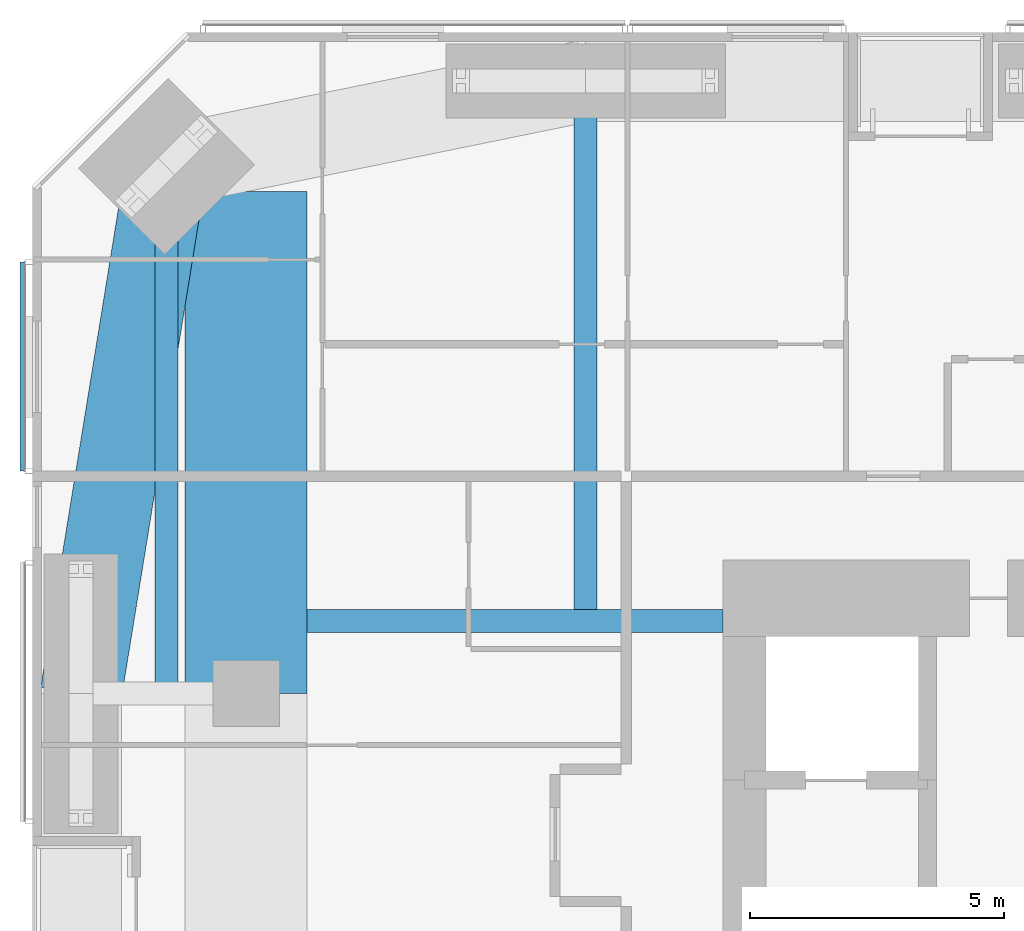
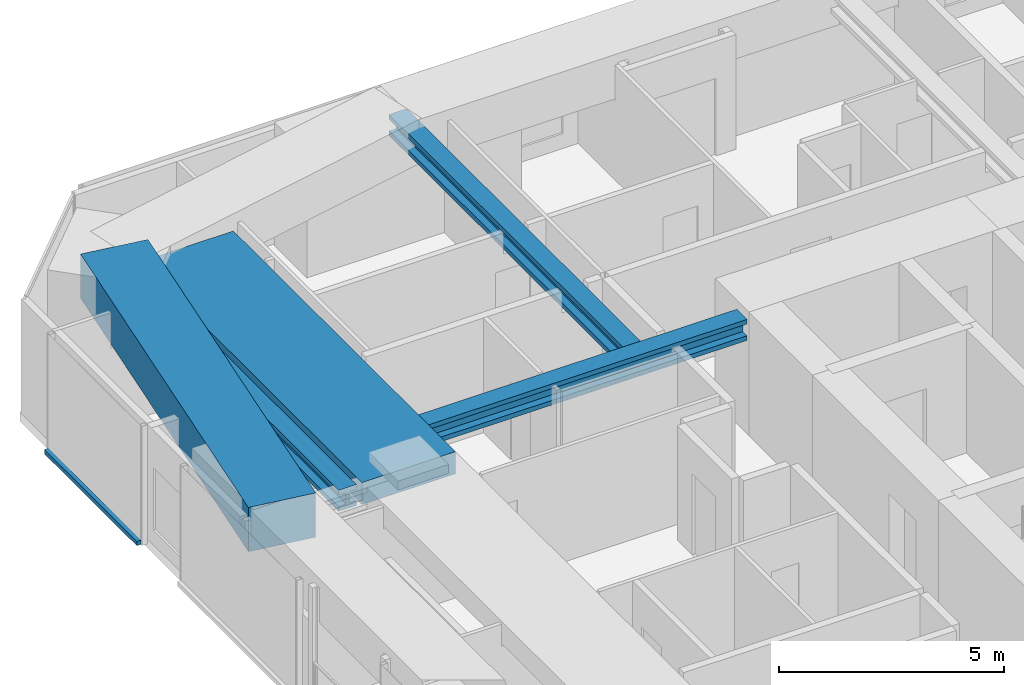
# One storey, part 7 of 24: 5 beams, 1 member, 1 element without a shape of its own.
"""IFC4 building model written with IfcOpenShell, lengths in metres."""

from ifc_helpers import new_model, si_unit, direction, frame, origin, origin_2d, place, context, subcontext, project, spatial, rectangle, i_section, extrude, material, material_profile, profile_set, type_object, element, aggregate, save


model = new_model("IFC4")

# Units and contexts
model_context = context("Model", 3, precision=1e-05, world=origin(), true_north=direction((0.0, 1.0)))
body_context = subcontext(model_context, "Body", "Model", "MODEL_VIEW")
ifc_project = project(units=[si_unit("LENGTHUNIT", "METRE"), si_unit("AREAUNIT", "SQUARE_METRE"), si_unit("VOLUMEUNIT", "CUBIC_METRE"), si_unit("PLANEANGLEUNIT", "RADIAN"), si_unit("MASSUNIT", "GRAM", prefix="KILO")], contexts=[model_context])

# Site, building, storey
site_placement = place(None, origin())
site = spatial("IfcSite", under=ifc_project, at=site_placement, CompositionType="ELEMENT")
building_placement = place(site_placement, origin())
building = spatial("IfcBuilding", under=site, at=building_placement, Name="Jalousie Tower", CompositionType="ELEMENT")
storey_placement = place(building_placement, frame((0.0, 0.0, 128.300048828125)))
storey = spatial("IfcBuildingStorey", under=building, at=storey_placement, Name="L35", CompositionType="ELEMENT", Elevation=128.300048828125)

# Beams
ifc_material_1 = material(Name="Steel ASTM A992 Grade 50", Category="steel")
ifc_material_profile_1 = material_profile(ifc_material_1, i_section(OverallWidth=0.45458984375, OverallDepth=0.569091796875, WebThickness=0.077880859375, FlangeThickness=0.124755859375, at=origin_2d()), Name="W14X730")
ifc_profile_set_1 = profile_set([ifc_material_profile_1], Name="Steel ASTM A992 Grade 50")
beam_type_1 = type_object("IfcBeamType", Name="LEAN COLLECTOR W14X730", PredefinedType="BEAM", material=ifc_profile_set_1)
beam_1_placement = place(storey_placement, frame((11.39990234375, 26.425048828125, 2.825439453125), z_axis=(1.0, 0.0, 0.0), x_axis=(0.0, 1.0, 0.0)))
element("IfcBeam", 1, at=beam_1_placement, inside=storey, type_object=beam_type_1, Name="Lean collector under L36", PredefinedType="BEAM", context=body_context, shape_type="SweptSolid", body=[
    extrude(i_section(OverallWidth=0.45458984375, OverallDepth=0.569091796875, WebThickness=0.077880859375, FlangeThickness=0.124755859375, at=origin_2d()), origin(), (0.0, 0.0, 1.0), 8.175048828125),
])
beam_2_placement = place(storey_placement, frame((8.63134765625, 35.36865234375, 2.825439453125), z_axis=(0.0, -1.0, 0.0), x_axis=(1.0, 0.0, 0.0)))
element("IfcBeam", 2, at=beam_2_placement, inside=storey, type_object=beam_type_1, Name="Lean collector under L36", PredefinedType="BEAM", context=body_context, shape_type="SweptSolid", body=[
    extrude(i_section(OverallWidth=0.45458984375, OverallDepth=0.569091796875, WebThickness=0.077880859375, FlangeThickness=0.124755859375, at=origin_2d()), origin(), (0.0, 0.0, 1.0), 10.36865234375),
])
beam_3_placement = place(storey_placement, frame((16.875, 37.050048828125, 2.825439453125), z_axis=(0.0, -1.0, 0.0), x_axis=(1.0, 0.0, 0.0)))
element("IfcBeam", 3, at=beam_3_placement, inside=storey, type_object=beam_type_1, Name="Lean collector under L36", PredefinedType="BEAM", context=body_context, shape_type="SweptSolid", body=[
    extrude(i_section(OverallWidth=0.45458984375, OverallDepth=0.569091796875, WebThickness=0.077880859375, FlangeThickness=0.124755859375, at=origin_2d()), origin(), (0.0, 0.0, 1.0), 10.625),
])
ifc_material_2 = material(Name="Concrete f'c 40 MPa", Category="concrete")
ifc_material_profile_2 = material_profile(ifc_material_2, rectangle(XDim=1.60009765625, YDim=1.199951171875, at=origin_2d()), Name="RC 1600x1200")
ifc_profile_set_2 = profile_set([ifc_material_profile_2], Name="Concrete f'c 40 MPa")
beam_type_2 = type_object("IfcBeamType", Name="RC BEAM 1600x1200", PredefinedType="BEAM", material=ifc_profile_set_2)
beam_4_placement = place(storey_placement, frame((8.63134765625, 35.36865234375, 2.75), z_axis=(-0.160070546476, -0.987105577003, 0.0), x_axis=(0.987105577003, -0.160070546476, 0.0)))
element("IfcBeam", 4, at=beam_4_placement, inside=storey, type_object=beam_type_2, Name="Edge band beam 12-13 under L36", PredefinedType="BEAM", context=body_context, shape_type="SweptSolid", body=[
    extrude(rectangle(XDim=1.60009765625, YDim=1.199951171875, at=origin_2d()), origin(), (0.0, 0.0, 1.0), 10.504150390625),
])
ifc_material_3 = material(Name="Concrete f'c 40 MPa", Category="concrete")
ifc_material_profile_3 = material_profile(ifc_material_3, rectangle(XDim=2.39990234375, YDim=0.60009765625, at=origin_2d()), Name="RC 2400x600")
ifc_profile_set_3 = profile_set([ifc_material_profile_3], Name="Concrete f'c 40 MPa")
beam_type_3 = type_object("IfcBeamType", Name="RC BEAM 2400x600", PredefinedType="BEAM", material=ifc_profile_set_3)
beam_5_placement = place(storey_placement, frame((10.199951171875, 25.0, 2.81005859375), z_axis=(0.0, 1.0, 0.0), x_axis=(-1.0, 0.0, 0.0)))
element("IfcBeam", 5, at=beam_5_placement, inside=storey, type_object=beam_type_3, Name="Floor band beam under L36", PredefinedType="BEAM", context=body_context, shape_type="SweptSolid", body=[
    extrude(rectangle(XDim=2.39990234375, YDim=0.60009765625, at=origin_2d()), origin(), (0.0, 0.0, 1.0), 9.8720703125),
])

# Curtain wall, member
ifc_material_4 = material(Name="Perforated aluminium sheet", Category="aluminium")
curtain_wall_type = type_object("IfcCurtainWallType", Name="SOLAR SCREEN SS-1", PredefinedType="USERDEFINED", material=ifc_material_4)
curtain_wall_placement = place(storey_placement, origin())
curtain_wall = element("IfcCurtainWall", 6, at=curtain_wall_placement, inside=storey, type_object=curtain_wall_type, Name="Solar screen L35", ObjectType="SOLAR SCREEN SS-1", PredefinedType="USERDEFINED")
ifc_material_5 = material(Name="Extruded aluminium screen rail", Category="aluminium")
ifc_material_profile_4 = material_profile(ifc_material_5, rectangle(XDim=0.1015625, YDim=0.1201171875, at=origin_2d()), Name="RAIL 102x120")
ifc_profile_set_4 = profile_set([ifc_material_profile_4], Name="Extruded aluminium screen rail")
member_type = type_object("IfcMemberType", Name="SOLAR SCREEN SS-1 TRANSOM", PredefinedType="USERDEFINED", material=ifc_profile_set_4)
member_placement = place(storey_placement, frame((5.8017578125, 33.486083984375, -0.06005859375), z_axis=(0.0, -1.0, 0.0), x_axis=(1.0, 0.0, 0.0)))
member = element("IfcMember", 7, at=member_placement, type_object=member_type, Name="SS1 rail", ObjectType="TRANSOM", PredefinedType="USERDEFINED", context=body_context, shape_type="SweptSolid", body=[
    extrude(rectangle(XDim=0.1015625, YDim=0.1201171875, at=origin_2d()), origin(), (0.0, 0.0, 1.0), 4.111083984375),
])
aggregate(curtain_wall, [member])

save(model, "model.ifc")
